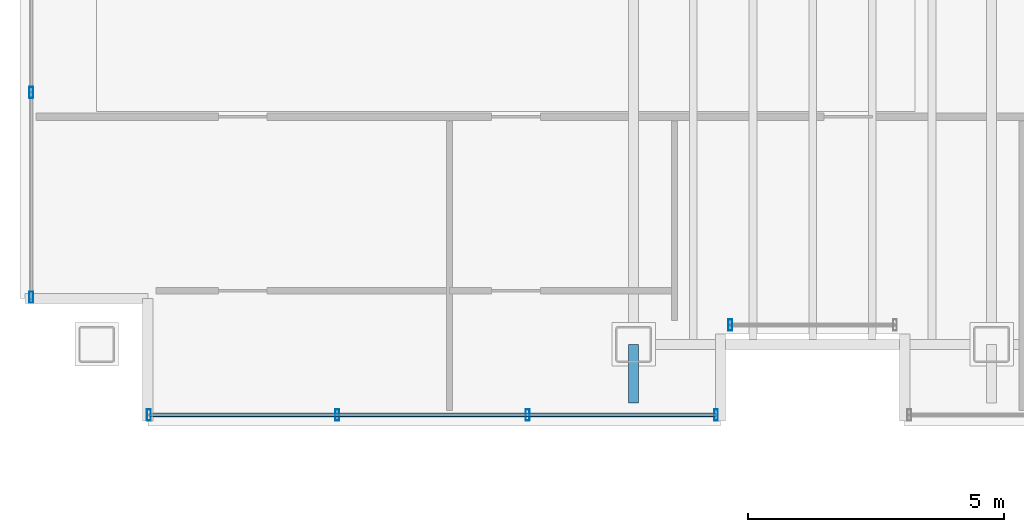
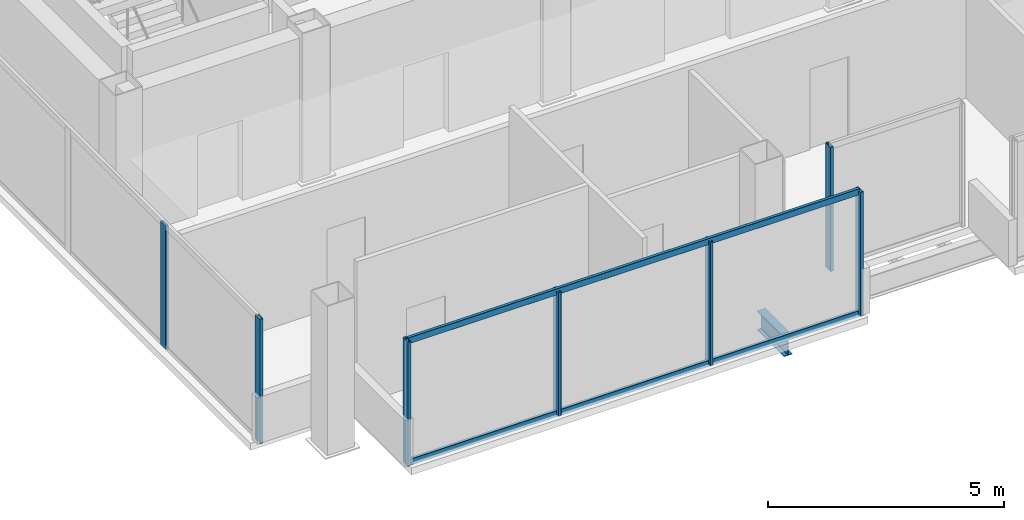
# One storey, part 2 of 17: 9 members, 1 beam, 3 elements without a shape of their own.
"""IFC4 building model written with IfcOpenShell, lengths in metres."""

from ifc_helpers import new_model, si_unit, direction, frame, origin, origin_2d, place, context, subcontext, project, spatial, hollow_rectangle, i_section, extrude, material, material_profile, profile_set, type_object, element, aggregate, save


model = new_model("IFC4")

# Units and contexts
model_context = context("Model", 3, precision=1e-05, world=origin(), true_north=direction((0.0, 1.0)))
body_context = subcontext(model_context, "Body", "Model", "MODEL_VIEW")
ifc_project = project(units=[si_unit("LENGTHUNIT", "METRE"), si_unit("AREAUNIT", "SQUARE_METRE"), si_unit("VOLUMEUNIT", "CUBIC_METRE"), si_unit("PLANEANGLEUNIT", "RADIAN"), si_unit("MASSUNIT", "GRAM", prefix="KILO")], contexts=[model_context])

# Site, building, storey
site_placement = place(None, origin())
site = spatial("IfcSite", under=ifc_project, at=site_placement, CompositionType="ELEMENT")
building_placement = place(site_placement, origin())
building = spatial("IfcBuilding", under=site, at=building_placement, Name="Noeulbin Bourse Tower", CompositionType="ELEMENT")
storey_placement = place(building_placement, frame((0.0, 0.0, 289.10009765625)))
storey = spatial("IfcBuildingStorey", under=building, at=storey_placement, Name="L72", CompositionType="ELEMENT", Elevation=289.10009765625)

# Beam
ifc_material_1 = material(Name="Steel S355", Category="steel")
ifc_material_profile_1 = material_profile(ifc_material_1, i_section(OverallWidth=0.199951171875, OverallDepth=0.5, WebThickness=0.010009765625, FlangeThickness=0.01611328125, FilletRadius=0.02001953125, at=origin_2d()), Name="H-500x200x10x16", Category="LoadBearing")
ifc_profile_set_1 = profile_set([ifc_material_profile_1], Name="Steel S355")
beam_type = type_object("IfcBeamType", Name="BM-GRD-500", PredefinedType="USERDEFINED", material=ifc_profile_set_1)
beam_placement = place(storey_placement, frame((24.0, 18.85009765625, -0.43017578125), z_axis=(0.0, 1.0, 0.0), x_axis=(-1.0, 0.0, 0.0)))
element("IfcBeam", 1, at=beam_placement, inside=storey, type_object=beam_type, Name="Tower Primary Girder NS L72-2.1", ObjectType="GIRDER", PredefinedType="USERDEFINED", context=body_context, shape_type="SweptSolid", body=[
    extrude(i_section(OverallWidth=0.199951171875, OverallDepth=0.5, WebThickness=0.010009765625, FlangeThickness=0.01611328125, FilletRadius=0.02001953125, at=origin_2d()), origin(), (0.0, 0.0, 1.0), 1.14990234375),
])

# Curtain wall, member
ifc_material_2 = material(Name="High-Selectivity Low-Iron Glazing", Category="glass")
curtain_wall_type = type_object("IfcCurtainWallType", Name="CW-SYS-4", PredefinedType="NOTDEFINED", material=ifc_material_2)
curtain_wall_1_placement = place(storey_placement, origin())
curtain_wall_1 = element("IfcCurtainWall", 2, at=curtain_wall_1_placement, inside=storey, type_object=curtain_wall_type, Name="Unitised Curtain Wall CW-L72-SREC", PredefinedType="NOTDEFINED")
ifc_material_3 = material(Name="Anodised Aluminium 6063-T6", Category="aluminium")
ifc_material_profile_2 = material_profile(ifc_material_3, hollow_rectangle(XDim=0.074951171875, YDim=0.219970703125, WallThickness=0.0048828125, InnerFilletRadius=0.00244140625, OuterFilletRadius=0.0048828125, at=origin_2d()), Name="ALU-MULL-75x220x5", Category="LoadBearing")
ifc_profile_set_2 = profile_set([ifc_material_profile_2], Name="Anodised Aluminium 6063-T6")
member_type_1 = type_object("IfcMemberType", Name="CW-SYS-4-MUL", PredefinedType="MULLION", material=ifc_profile_set_2)
member_1_placement = place(storey_placement, frame((25.889892578125, 20.3798828125, -0.02001953125), z_axis=(0.0, 0.0, 1.0), x_axis=(1.0, 0.0, 0.0)))
member_1 = element("IfcMember", 3, at=member_1_placement, type_object=member_type_1, Name="Curtain Wall Mullion CW-L72-SREC-M00", PredefinedType="MULLION", context=body_context, shape_type="SweptSolid", body=[
    extrude(hollow_rectangle(XDim=0.074951171875, YDim=0.219970703125, WallThickness=0.0048828125, InnerFilletRadius=0.00244140625, OuterFilletRadius=0.0048828125, at=origin_2d()), origin(), (0.0, 0.0, 1.0), 3.219970703125),
])
aggregate(curtain_wall_1, [member_1])

# Curtain wall, members
curtain_wall_2_placement = place(storey_placement, origin())
curtain_wall_2 = element("IfcCurtainWall", 4, at=curtain_wall_2_placement, inside=storey, type_object=curtain_wall_type, Name="Unitised Curtain Wall CW-L72-S1", PredefinedType="NOTDEFINED")
member_2_placement = place(storey_placement, frame((14.52001953125, 18.6201171875, -0.02001953125), z_axis=(0.0, 0.0, 1.0), x_axis=(1.0, 0.0, 0.0)))
member_2 = element("IfcMember", 5, at=member_2_placement, type_object=member_type_1, Name="Curtain Wall Mullion CW-L72-S1-M00", PredefinedType="MULLION", context=body_context, shape_type="SweptSolid", body=[
    extrude(hollow_rectangle(XDim=0.074951171875, YDim=0.219970703125, WallThickness=0.0048828125, InnerFilletRadius=0.00244140625, OuterFilletRadius=0.0048828125, at=origin_2d()), origin(), (0.0, 0.0, 1.0), 3.219970703125),
])
member_3_placement = place(storey_placement, frame((18.203369140625, 18.6201171875, -0.02001953125), z_axis=(0.0, 0.0, 1.0), x_axis=(1.0, 0.0, 0.0)))
member_3 = element("IfcMember", 6, at=member_3_placement, type_object=member_type_1, Name="Curtain Wall Mullion CW-L72-S1-M01", PredefinedType="MULLION", context=body_context, shape_type="SweptSolid", body=[
    extrude(hollow_rectangle(XDim=0.074951171875, YDim=0.219970703125, WallThickness=0.0048828125, InnerFilletRadius=0.00244140625, OuterFilletRadius=0.0048828125, at=origin_2d()), origin(), (0.0, 0.0, 1.0), 3.219970703125),
])
member_4_placement = place(storey_placement, frame((21.9267578125, 18.6201171875, -0.02001953125), z_axis=(0.0, 0.0, 1.0), x_axis=(1.0, 0.0, 0.0)))
member_4 = element("IfcMember", 7, at=member_4_placement, type_object=member_type_1, Name="Curtain Wall Mullion CW-L72-S1-M02", PredefinedType="MULLION", context=body_context, shape_type="SweptSolid", body=[
    extrude(hollow_rectangle(XDim=0.074951171875, YDim=0.219970703125, WallThickness=0.0048828125, InnerFilletRadius=0.00244140625, OuterFilletRadius=0.0048828125, at=origin_2d()), origin(), (0.0, 0.0, 1.0), 3.219970703125),
])
member_5_placement = place(storey_placement, frame((25.610107421875, 18.6201171875, -0.02001953125), z_axis=(0.0, 0.0, 1.0), x_axis=(1.0, 0.0, 0.0)))
member_5 = element("IfcMember", 8, at=member_5_placement, type_object=member_type_1, Name="Curtain Wall Mullion CW-L72-S1-M03", PredefinedType="MULLION", context=body_context, shape_type="SweptSolid", body=[
    extrude(hollow_rectangle(XDim=0.074951171875, YDim=0.219970703125, WallThickness=0.0048828125, InnerFilletRadius=0.00244140625, OuterFilletRadius=0.0048828125, at=origin_2d()), origin(), (0.0, 0.0, 1.0), 3.219970703125),
])

curtain_wall_3_placement = place(storey_placement, origin())
curtain_wall_3 = element("IfcCurtainWall", 9, at=curtain_wall_3_placement, inside=storey, type_object=curtain_wall_type, Name="Unitised Curtain Wall CW-L72-W", PredefinedType="NOTDEFINED")
member_6_placement = place(storey_placement, frame((12.219970703125, 20.919921875, -0.02001953125), z_axis=(0.0, 0.0, 1.0), x_axis=(1.0, 0.0, 0.0)))
member_6 = element("IfcMember", 10, at=member_6_placement, type_object=member_type_1, Name="Curtain Wall Mullion CW-L72-W-M00", PredefinedType="MULLION", context=body_context, shape_type="SweptSolid", body=[
    extrude(hollow_rectangle(XDim=0.074951171875, YDim=0.219970703125, WallThickness=0.0048828125, InnerFilletRadius=0.00244140625, OuterFilletRadius=0.0048828125, at=origin_2d()), origin(), (0.0, 0.0, 1.0), 3.219970703125),
])
member_7_placement = place(storey_placement, frame((12.219970703125, 24.927978515625, -0.02001953125), z_axis=(0.0, 0.0, 1.0), x_axis=(1.0, 0.0, 0.0)))
member_7 = element("IfcMember", 11, at=member_7_placement, type_object=member_type_1, Name="Curtain Wall Mullion CW-L72-W-M01", PredefinedType="MULLION", context=body_context, shape_type="SweptSolid", body=[
    extrude(hollow_rectangle(XDim=0.074951171875, YDim=0.219970703125, WallThickness=0.0048828125, InnerFilletRadius=0.00244140625, OuterFilletRadius=0.0048828125, at=origin_2d()), origin(), (0.0, 0.0, 1.0), 3.219970703125),
])
aggregate(curtain_wall_3, [member_6, member_7])

# Member
ifc_material_profile_3 = material_profile(ifc_material_3, hollow_rectangle(XDim=0.074951171875, YDim=0.159912109375, WallThickness=0.0048828125, InnerFilletRadius=0.00244140625, OuterFilletRadius=0.0048828125, at=origin_2d()), Name="ALU-TRAN-75x160x5", Category="LoadBearing")
ifc_profile_set_3 = profile_set([ifc_material_profile_3], Name="Anodised Aluminium 6063-T6")
member_type_2 = type_object("IfcMemberType", Name="CW-SYS-4-TRN", PredefinedType="USERDEFINED", material=ifc_profile_set_3)
member_8_placement = place(storey_placement, frame((14.530029296875, 18.6201171875, 0.010009765625), z_axis=(1.0, 0.0, 0.0), x_axis=(0.0, 1.0, 0.0)))
member_8 = element("IfcMember", 12, at=member_8_placement, type_object=member_type_2, Name="Curtain Wall Transom CW-L72-S1-T00", ObjectType="TRANSOM", PredefinedType="USERDEFINED", context=body_context, shape_type="SweptSolid", body=[
    extrude(hollow_rectangle(XDim=0.074951171875, YDim=0.159912109375, WallThickness=0.0048828125, InnerFilletRadius=0.00244140625, OuterFilletRadius=0.0048828125, at=origin_2d()), origin(), (0.0, 0.0, 1.0), 11.070068359375),
])

member_9_placement = place(storey_placement, frame((14.530029296875, 18.6201171875, 3.169921875), z_axis=(1.0, 0.0, 0.0), x_axis=(0.0, 1.0, 0.0)))
member_9 = element("IfcMember", 13, at=member_9_placement, type_object=member_type_2, Name="Curtain Wall Transom CW-L72-S1-T01", ObjectType="TRANSOM", PredefinedType="USERDEFINED", context=body_context, shape_type="SweptSolid", body=[
    extrude(hollow_rectangle(XDim=0.074951171875, YDim=0.159912109375, WallThickness=0.0048828125, InnerFilletRadius=0.00244140625, OuterFilletRadius=0.0048828125, at=origin_2d()), origin(), (0.0, 0.0, 1.0), 11.070068359375),
])

aggregate(curtain_wall_2, [member_2, member_3, member_4, member_5, member_8, member_9])

save(model, "model.ifc")
